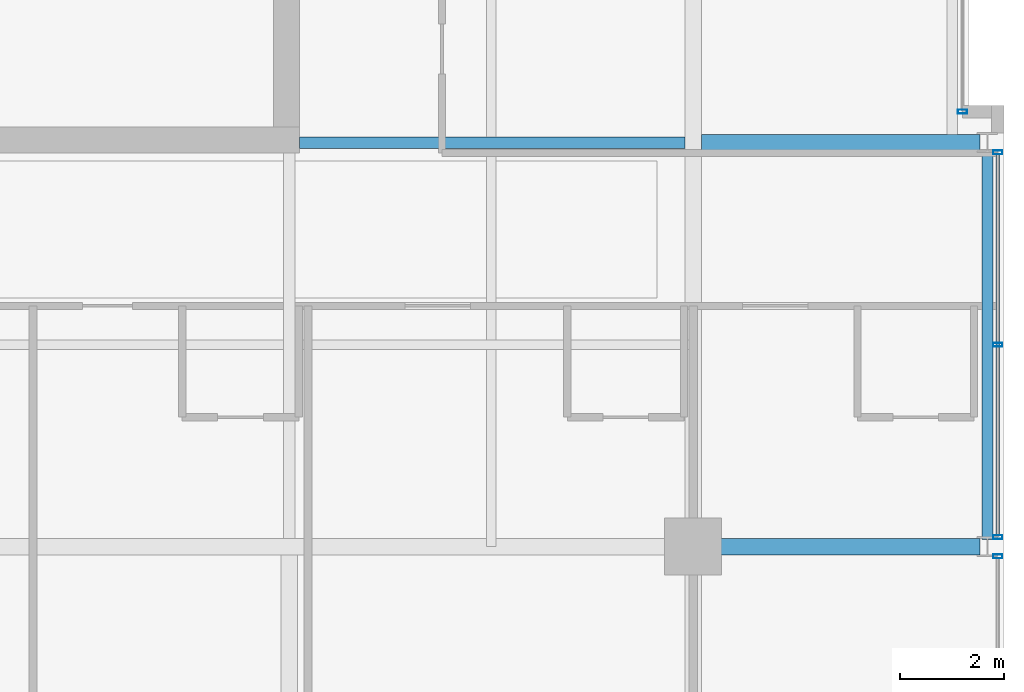
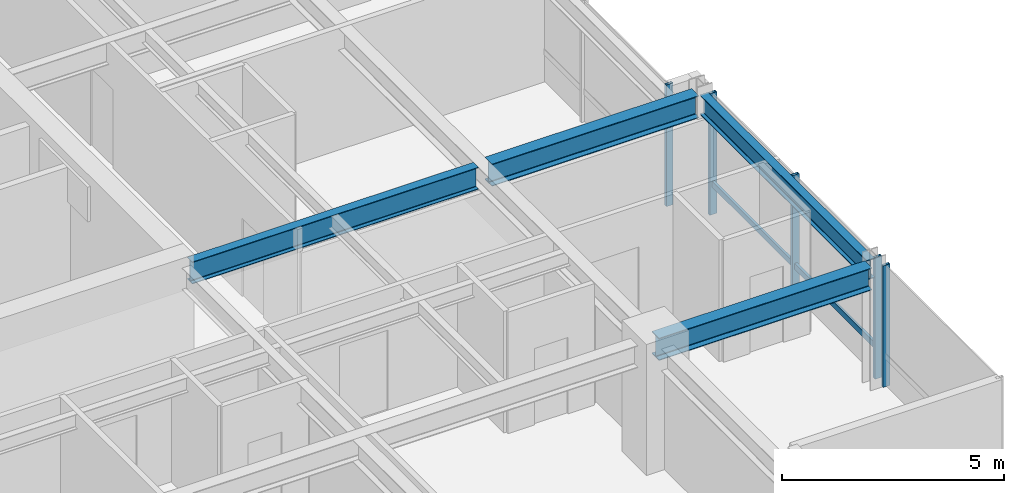
# One storey, part 13 of 31: 6 members, 4 beams, 3 elements without a shape of their own.
"""IFC4 building model written with IfcOpenShell, lengths in metres."""

from ifc_helpers import new_model, si_unit, direction, frame, origin, origin_2d, place, context, subcontext, project, spatial, hollow_rectangle, i_section, extrude, material, layer, layer_set, material_profile, profile_set, type_object, element, aggregate, save


model = new_model("IFC4")

# Units and contexts
model_context = context("Model", 3, precision=1e-05, world=origin(), true_north=direction((0.0, 1.0)))
body_context = subcontext(model_context, "Body", "Model", "MODEL_VIEW")
ifc_project = project(units=[si_unit("LENGTHUNIT", "METRE"), si_unit("AREAUNIT", "SQUARE_METRE"), si_unit("VOLUMEUNIT", "CUBIC_METRE"), si_unit("PLANEANGLEUNIT", "RADIAN"), si_unit("MASSUNIT", "GRAM", prefix="KILO")], contexts=[model_context])

# Site, building, storey
site_placement = place(None, origin())
site = spatial("IfcSite", under=ifc_project, at=site_placement, CompositionType="ELEMENT")
building_placement = place(site_placement, origin())
building = spatial("IfcBuilding", under=site, at=building_placement, Name="Drelvath Grand Hotel", CompositionType="ELEMENT")
storey_placement = place(building_placement, frame((0.0, 0.0, 230.300048828125)))
storey = spatial("IfcBuildingStorey", under=building, at=storey_placement, Name="L60", CompositionType="ELEMENT", Elevation=230.300048828125)

# Curtain wall, member
ifc_material_1 = material(Name="Platinum-Mist Anodised Aluminium Frame", Category="aluminium")
ifc_layer = layer(ifc_material_1, 0.199951171875)
ifc_layer_set = layer_set([ifc_layer], Name="Platinum-Mist Anodised Aluminium Frame")
curtain_wall_type = type_object("IfcCurtainWallType", Name="Stick Curtain Wall CW-05 Platinum Mist High-Rise", PredefinedType="NOTDEFINED", material=ifc_layer_set)
curtain_wall_1_placement = place(storey_placement, origin())
curtain_wall_1 = element("IfcCurtainWall", 1, at=curtain_wall_1_placement, inside=storey, type_object=curtain_wall_type, Name="L60 CW-05 Curtain Wall CW05-L60-ES2", PredefinedType="NOTDEFINED")
ifc_material_profile_1 = material_profile(ifc_material_1, hollow_rectangle(XDim=0.06494140625, YDim=0.159912109375, WallThickness=0.00390625, at=origin_2d()), Name="HSS160X65X4")
ifc_profile_set_1 = profile_set([ifc_material_profile_1], Name="Platinum-Mist Anodised Aluminium Frame")
member_type_1 = type_object("IfcMemberType", Name="Curtain Wall Horizontal Transom CW-05 HSS160X65X4", PredefinedType="USERDEFINED", material=ifc_profile_set_1)
member_1_placement = place(storey_placement, frame((22.080078125, 18.374755859375, 0.8349609375), z_axis=(0.0, -1.0, 0.0), x_axis=(1.0, 0.0, 0.0)))
member_1 = element("IfcMember", 2, at=member_1_placement, type_object=member_type_1, Name="CW05-L60-ES2 Sill Transom", ObjectType="TRANSOM", PredefinedType="USERDEFINED", context=body_context, shape_type="SweptSolid", body=[
    extrude(hollow_rectangle(XDim=0.06494140625, YDim=0.159912109375, WallThickness=0.00390625, at=origin_2d()), origin(), (0.0, 0.0, 1.0), 7.349365234375),
])

curtain_wall_2_placement = place(storey_placement, origin())
curtain_wall_2 = element("IfcCurtainWall", 3, at=curtain_wall_2_placement, inside=storey, type_object=curtain_wall_type, Name="L60 CW-05 Curtain Wall CW05-L60-EM1", PredefinedType="NOTDEFINED")
ifc_material_profile_2 = material_profile(ifc_material_1, hollow_rectangle(XDim=0.074951171875, YDim=0.179931640625, WallThickness=0.0048828125, at=origin_2d()), Name="HSS180X75X5")
ifc_profile_set_2 = profile_set([ifc_material_profile_2], Name="Platinum-Mist Anodised Aluminium Frame")
member_type_2 = type_object("IfcMemberType", Name="Curtain Wall Vertical Mullion CW-05 HSS180X75X5", PredefinedType="MULLION", material=ifc_profile_set_2)
member_2_placement = place(storey_placement, frame((21.39990234375, 19.199951171875, 0.0), z_axis=(0.0, 0.0, 1.0), x_axis=(0.0, 1.0, 0.0)))
member_2 = element("IfcMember", 4, at=member_2_placement, type_object=member_type_2, Name="CW05-L60-EM1 Mullion 3", PredefinedType="MULLION", context=body_context, shape_type="SweptSolid", body=[
    extrude(hollow_rectangle(XDim=0.074951171875, YDim=0.179931640625, WallThickness=0.0048828125, at=origin_2d()), origin(), (0.0, 0.0, 1.0), 3.33984375),
])
aggregate(curtain_wall_2, [member_2])

curtain_wall_3_placement = place(storey_placement, origin())
curtain_wall_3 = element("IfcCurtainWall", 5, at=curtain_wall_3_placement, inside=storey, type_object=curtain_wall_type, Name="L60 CW-05 Curtain Wall CW05-L60-ES1", PredefinedType="NOTDEFINED")
member_3_placement = place(storey_placement, frame((22.080078125, 10.61474609375, 0.0), z_axis=(0.0, 0.0, 1.0), x_axis=(0.0, 1.0, 0.0)))
member_3 = element("IfcMember", 6, at=member_3_placement, type_object=member_type_2, Name="CW05-L60-ES1 Mullion 1", PredefinedType="MULLION", context=body_context, shape_type="SweptSolid", body=[
    extrude(hollow_rectangle(XDim=0.074951171875, YDim=0.179931640625, WallThickness=0.0048828125, at=origin_2d()), origin(), (0.0, 0.0, 1.0), 3.33984375),
])
aggregate(curtain_wall_3, [member_3])

# Member
member_4_placement = place(storey_placement, frame((22.080078125, 18.414794921875, 0.0), z_axis=(0.0, 0.0, 1.0), x_axis=(0.0, 1.0, 0.0)))
member_4 = element("IfcMember", 7, at=member_4_placement, type_object=member_type_2, Name="CW05-L60-ES2 Mullion 1", PredefinedType="MULLION", context=body_context, shape_type="SweptSolid", body=[
    extrude(hollow_rectangle(XDim=0.074951171875, YDim=0.179931640625, WallThickness=0.0048828125, at=origin_2d()), origin(), (0.0, 0.0, 1.0), 3.33984375),
])

member_5_placement = place(storey_placement, frame((22.080078125, 14.699951171875, 0.0), z_axis=(0.0, 0.0, 1.0), x_axis=(0.0, 1.0, 0.0)))
member_5 = element("IfcMember", 8, at=member_5_placement, type_object=member_type_2, Name="CW05-L60-ES2 Mullion 2", PredefinedType="MULLION", context=body_context, shape_type="SweptSolid", body=[
    extrude(hollow_rectangle(XDim=0.074951171875, YDim=0.179931640625, WallThickness=0.0048828125, at=origin_2d()), origin(), (0.0, 0.0, 1.0), 3.33984375),
])

member_6_placement = place(storey_placement, frame((22.080078125, 10.9853515625, 0.0), z_axis=(0.0, 0.0, 1.0), x_axis=(0.0, 1.0, 0.0)))
member_6 = element("IfcMember", 9, at=member_6_placement, type_object=member_type_2, Name="CW05-L60-ES2 Mullion 3", PredefinedType="MULLION", context=body_context, shape_type="SweptSolid", body=[
    extrude(hollow_rectangle(XDim=0.074951171875, YDim=0.179931640625, WallThickness=0.0048828125, at=origin_2d()), origin(), (0.0, 0.0, 1.0), 3.33984375),
])

aggregate(curtain_wall_1, [member_4, member_5, member_6, member_1])

# Beams
ifc_material_2 = material(Name="Steel ASTM A992 Gr 50", Category="steel")
ifc_material_profile_3 = material_profile(ifc_material_2, i_section(OverallWidth=0.210205078125, OverallDepth=0.53662109375, WebThickness=0.010986328125, FlangeThickness=0.017333984375, FilletRadius=0.01806640625, at=origin_2d()), Name="W21X68")
ifc_profile_set_3 = profile_set([ifc_material_profile_3], Name="Steel ASTM A992 Gr 50")
beam_type_1 = type_object("IfcBeamType", Name="Perimeter Spandrel Beam W21X68", PredefinedType="SPANDREL", material=ifc_profile_set_3)
beam_1_placement = place(storey_placement, frame((21.8798828125, 10.93994140625, 3.071533203125), z_axis=(0.0, 1.0, 0.0), x_axis=(-1.0, 0.0, 0.0)))
element("IfcBeam", 10, at=beam_1_placement, inside=storey, type_object=beam_type_1, Name="L60 Spandrel East S", PredefinedType="SPANDREL", context=body_context, shape_type="SweptSolid", body=[
    extrude(i_section(OverallWidth=0.210205078125, OverallDepth=0.53662109375, WebThickness=0.010986328125, FlangeThickness=0.017333984375, FilletRadius=0.01806640625, at=origin_2d()), origin(), (0.0, 0.0, 1.0), 7.52001953125),
])
ifc_material_profile_4 = material_profile(ifc_material_2, i_section(OverallWidth=0.323974609375, OverallDepth=0.611083984375, WebThickness=0.0126953125, FlangeThickness=0.01904296875, FilletRadius=0.02197265625, at=origin_2d()), Name="W24X104")
ifc_profile_set_4 = profile_set([ifc_material_profile_4], Name="Steel ASTM A992 Gr 50")
beam_type_2 = type_object("IfcBeamType", Name="Primary Floor Girder W24X104", PredefinedType="BEAM", material=ifc_profile_set_4)
beam_2_placement = place(storey_placement, frame((16.199951171875, 10.800048828125, 3.034423828125), z_axis=(1.0, 0.0, 0.0), x_axis=(0.0, 1.0, 0.0)))
element("IfcBeam", 11, at=beam_2_placement, inside=storey, type_object=beam_type_2, Name="L60 East Grid Girder C", PredefinedType="BEAM", context=body_context, shape_type="SweptSolid", body=[
    extrude(i_section(OverallWidth=0.323974609375, OverallDepth=0.611083984375, WebThickness=0.0126953125, FlangeThickness=0.01904296875, FilletRadius=0.02197265625, at=origin_2d()), origin(), (0.0, 0.0, 1.0), 5.5400390625),
])
beam_3_placement = place(storey_placement, frame((16.362060546875, 18.60009765625, 3.034423828125), z_axis=(1.0, 0.0, 0.0), x_axis=(0.0, 1.0, 0.0)))
element("IfcBeam", 12, at=beam_3_placement, inside=storey, type_object=beam_type_2, Name="L60 East Wing Girder D", PredefinedType="BEAM", context=body_context, shape_type="SweptSolid", body=[
    extrude(i_section(OverallWidth=0.323974609375, OverallDepth=0.611083984375, WebThickness=0.0126953125, FlangeThickness=0.01904296875, FilletRadius=0.02197265625, at=origin_2d()), origin(), (0.0, 0.0, 1.0), 5.3779296875),
])
ifc_material_profile_5 = material_profile(ifc_material_2, i_section(OverallWidth=0.228271484375, OverallDepth=0.607666015625, WebThickness=0.01123046875, FlangeThickness=0.017333984375, FilletRadius=0.02001953125, at=origin_2d()), Name="W24X76")
ifc_profile_set_5 = profile_set([ifc_material_profile_5], Name="Steel ASTM A992 Gr 50")
beam_type_3 = type_object("IfcBeamType", Name="Primary Floor Girder W24X76", PredefinedType="BEAM", material=ifc_profile_set_5)
beam_4_placement = place(storey_placement, frame((8.60009765625, 18.60009765625, 3.0361328125), z_axis=(1.0, 0.0, 0.0), x_axis=(0.0, 1.0, 0.0)))
element("IfcBeam", 13, at=beam_4_placement, inside=storey, type_object=beam_type_3, Name="L60 East Core Tie D", PredefinedType="BEAM", context=body_context, shape_type="SweptSolid", body=[
    extrude(i_section(OverallWidth=0.228271484375, OverallDepth=0.607666015625, WebThickness=0.01123046875, FlangeThickness=0.017333984375, FilletRadius=0.02001953125, at=origin_2d()), origin(), (0.0, 0.0, 1.0), 7.43798828125),
])

save(model, "model.ifc")
